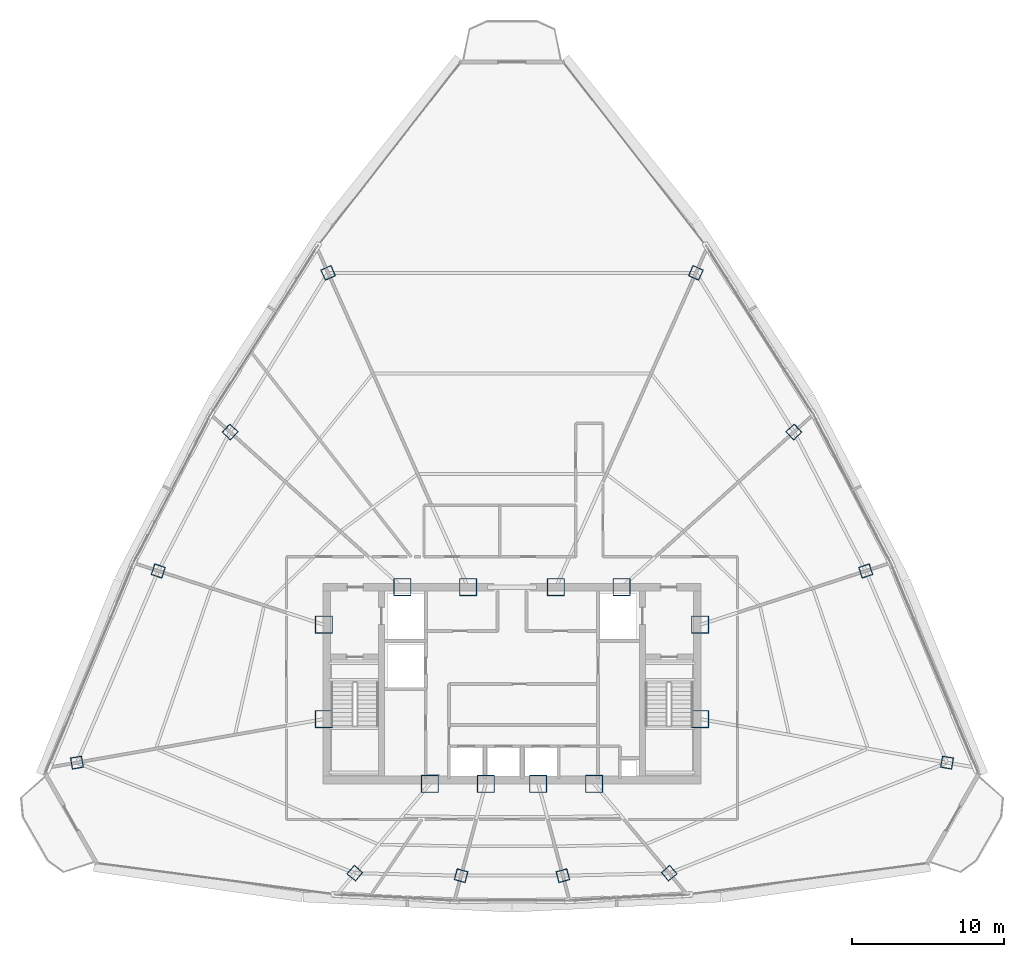
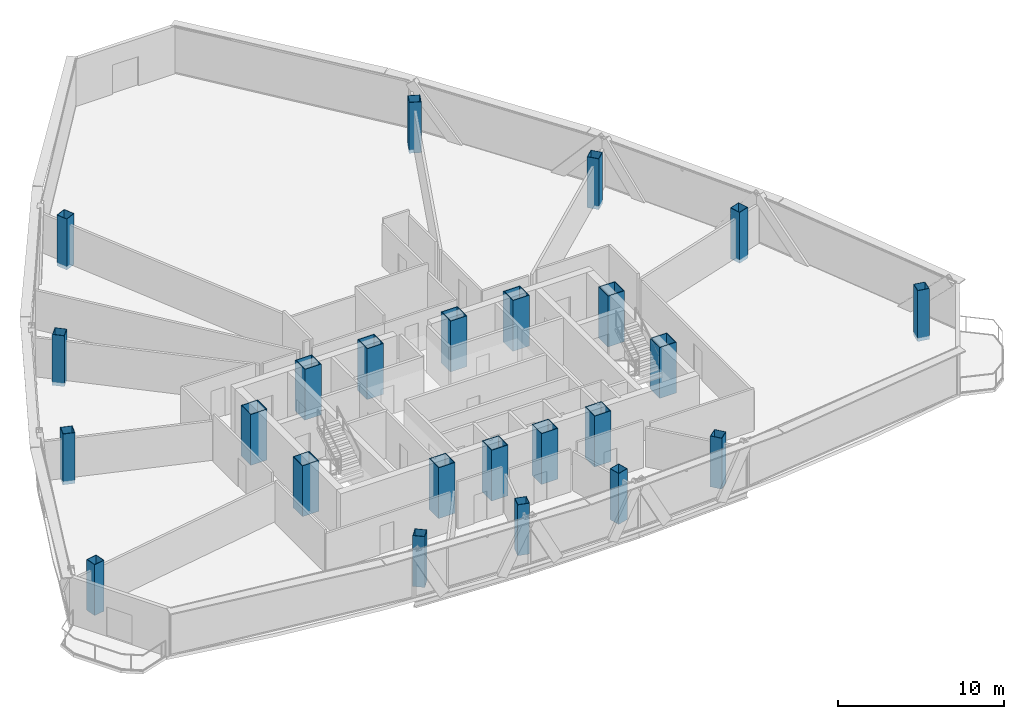
# One storey, part 1 of 35: 24 columns.
"""IFC4 building model written with IfcOpenShell, lengths in metres."""

from ifc_helpers import new_model, si_unit, direction, frame, origin, origin_2d, place, context, subcontext, project, spatial, hollow_rectangle, extrude, source, transform, mapped, material, material_profile, profile_set, type_object, element, save


model = new_model("IFC4")

# Units and contexts
model_context = context("Model", 3, precision=1e-05, world=origin(), true_north=direction((0.0, 1.0)))
body_context = subcontext(model_context, "Body", "Model", "MODEL_VIEW")
ifc_project = project(units=[si_unit("LENGTHUNIT", "METRE"), si_unit("AREAUNIT", "SQUARE_METRE"), si_unit("VOLUMEUNIT", "CUBIC_METRE"), si_unit("PLANEANGLEUNIT", "RADIAN"), si_unit("MASSUNIT", "GRAM", prefix="KILO"), si_unit("THERMODYNAMICTEMPERATUREUNIT", "KELVIN"), si_unit("POWERUNIT", "WATT")], contexts=[model_context])

# Site, building, storey
site_placement = place(None, origin())
site = spatial("IfcSite", under=ifc_project, at=site_placement, CompositionType="ELEMENT")
building_placement = place(site_placement, origin())
building = spatial("IfcBuilding", under=site, at=building_placement, Name="Yunzhuo Pagoda Commons", CompositionType="ELEMENT")
storey_placement = place(building_placement, frame((0.0, 0.0, 299.93994140625)))
storey = spatial("IfcBuildingStorey", under=building, at=storey_placement, Name="L75", CompositionType="ELEMENT", Elevation=299.93994140625)

# Columns
ifc_material_1 = material(Name="Structural steel Q420B", Category="steel")
ifc_material_profile_1 = material_profile(ifc_material_1, hollow_rectangle(XDim=1.14990234375, YDim=1.14990234375, WallThickness=0.048095703125, at=origin_2d()), Name="Structural steel Q420B")
ifc_profile_set_1 = profile_set([ifc_material_profile_1], Name="Structural steel Q420B")
column_type_1 = type_object("IfcColumnType", Name="C-COR Column BOX 1150x1150x48", PredefinedType="COLUMN", material=ifc_profile_set_1)
shared_shape_1 = source(origin(), body_context, "Body", "SweptSolid", [
    extrude(hollow_rectangle(XDim=1.14990234375, YDim=1.14990234375, WallThickness=0.048095703125, at=origin_2d()), origin(), (0.0, 0.0, 1.0), 3.72998046875),
])
for number, where, z_axis, x_axis, name in (
    (1, (42.587890625, 27.25, -0.260009765625), (0.0, 0.0, 1.0), (1.0, 0.0, 0.0), "L75 core composite column F1C1"),
    (2, (46.27197265625, 27.25, -0.260009765625), (0.0, 0.0, 1.0), (1.0, 0.0, 0.0), "L75 core composite column F1C2"),
    (3, (49.728515625, 27.25, -0.260009765625), (0.0, 0.0, 1.0), (1.0, 0.0, 0.0), "L75 core composite column F1C3"),
    (4, (53.412109375, 27.25, -0.260009765625), (0.0, 0.0, 1.0), (1.0, 0.0, 0.0), "L75 core composite column F1C4"),
    (5, (60.39990234375, 31.513427734375, -0.260009765625), (0.0, 0.0, 1.0), (1.0, 0.0, 0.0), "L75 core composite column F2C1"),
    (6, (60.39990234375, 37.72900390625, -0.260009765625), (0.0, 0.0, 1.0), (1.0, 0.0, 0.0), "L75 core composite column F2C2"),
    (7, (55.218994140625, 40.199951171875, -0.260009765625), (0.0, 0.0, 1.0), (1.0, 0.0, 0.0), "L75 core composite column F2C3"),
    (8, (50.89404296875, 40.199951171875, -0.260009765625), (0.0, 0.0, 1.0), (1.0, 0.0, 0.0), "L75 core composite column F2C4"),
    (9, (45.10595703125, 40.199951171875, -0.260009765625), (0.0, 0.0, 1.0), (1.0, 0.0, 0.0), "L75 core composite column F3C1"),
    (10, (40.781005859375, 40.199951171875, -0.260009765625), (0.0, 0.0, 1.0), (1.0, 0.0, 0.0), "L75 core composite column F3C2"),
    (11, (35.60009765625, 37.72900390625, -0.260009765625), (0.0, 0.0, 1.0), (1.0, 0.0, 0.0), "L75 core composite column F3C3"),
    (12, (35.60009765625, 31.513427734375, -0.260009765625), (0.0, 0.0, 1.0), (1.0, 0.0, 0.0), "L75 core composite column F3C4"),
):
    element("IfcColumn", number, at=place(storey_placement, frame(where, z_axis=z_axis, x_axis=x_axis)), inside=storey, type_object=column_type_1, Name=name, PredefinedType="COLUMN", context=body_context, shape_type="MappedRepresentation", body=[
        mapped(shared_shape_1, transform((0.0, 0.0, 0.0), scale=1.0)),
    ])
ifc_material_2 = material(Name="Structural steel Q355B", Category="steel")
ifc_material_profile_2 = material_profile(ifc_material_2, hollow_rectangle(XDim=0.75, YDim=0.75, WallThickness=0.028076171875, at=origin_2d()), Name="Structural steel Q355B")
ifc_profile_set_2 = profile_set([ifc_material_profile_2], Name="Structural steel Q355B")
column_type_2 = type_object("IfcColumnType", Name="C-Z6 Column BOX 750x750x28", PredefinedType="COLUMN", material=ifc_profile_set_2)
shared_shape_2 = source(origin(), body_context, "Body", "SweptSolid", [
    extrude(hollow_rectangle(XDim=0.75, YDim=0.75, WallThickness=0.028076171875, at=origin_2d()), origin(), (0.0, 0.0, 1.0), 3.72998046875),
])
for number, where, z_axis, x_axis, name in (
    (13, (37.64697265625, 21.361572265625, -0.260009765625), (0.0, 0.0, 1.0), (0.766044443119, -0.642787609687, 0.0), "L75 tower column F1C1"),
    (14, (44.6494140625, 21.195556640625, -0.260009765625), (0.0, 0.0, 1.0), (0.965925826289, -0.258819045103, 0.0), "L75 tower column F1C2"),
    (15, (51.3505859375, 21.195556640625, -0.260009765625), (0.0, 0.0, 1.0), (0.965925826289, 0.258819045103, 0.0), "L75 tower column F1C3"),
    (16, (58.353515625, 21.361572265625, -0.260009765625), (0.0, 0.0, 1.0), (0.766044443119, 0.642787609687, 0.0), "L75 tower column F1C4"),
    (17, (76.66162109375, 28.646240234375, -0.260009765625), (0.0, 0.0, 1.0), (0.173648177667, 0.984807753012, 0.0), "L75 tower column F2C1"),
    (18, (71.302490234375, 41.271484375, -0.260009765625), (0.0, 0.0, 1.0), (-0.309016994375, 0.951056516295, 0.0), "L75 tower column F2C2"),
    (19, (66.5732421875, 50.423583984375, -0.260009765625), (0.0, 0.0, 1.0), (-0.669130606359, 0.743144825477, 0.0), "L75 tower column F2C3"),
    (20, (60.1142578125, 60.9091796875, -0.260009765625), (0.0, 0.0, 1.0), (-0.913545457643, 0.406736643076, 0.0), "L75 tower column F2C4"),
    (21, (35.8857421875, 60.9091796875, -0.260009765625), (0.0, 0.0, 1.0), (-0.913545457643, -0.406736643076, 0.0), "L75 tower column F3C1"),
    (22, (29.4267578125, 50.423583984375, -0.260009765625), (0.0, 0.0, 1.0), (-0.669130606359, -0.743144825477, 0.0), "L75 tower column F3C2"),
    (23, (24.697509765625, 41.271484375, -0.260009765625), (0.0, 0.0, 1.0), (-0.309016994375, -0.951056516295, 0.0), "L75 tower column F3C3"),
    (24, (19.33837890625, 28.646240234375, -0.260009765625), (0.0, 0.0, 1.0), (0.173648177667, -0.984807753012, 0.0), "L75 tower column F3C4"),
):
    element("IfcColumn", number, at=place(storey_placement, frame(where, z_axis=z_axis, x_axis=x_axis)), inside=storey, type_object=column_type_2, Name=name, PredefinedType="COLUMN", context=body_context, shape_type="MappedRepresentation", body=[
        mapped(shared_shape_2, transform((0.0, 0.0, 0.0), scale=1.0)),
    ])

save(model, "model.ifc")
